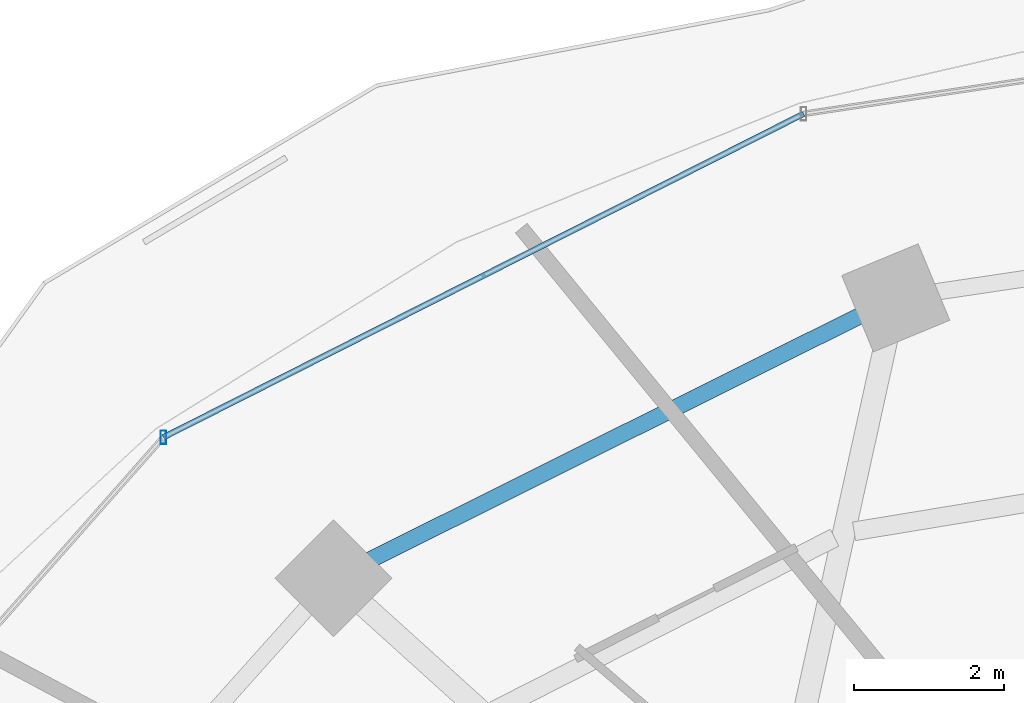
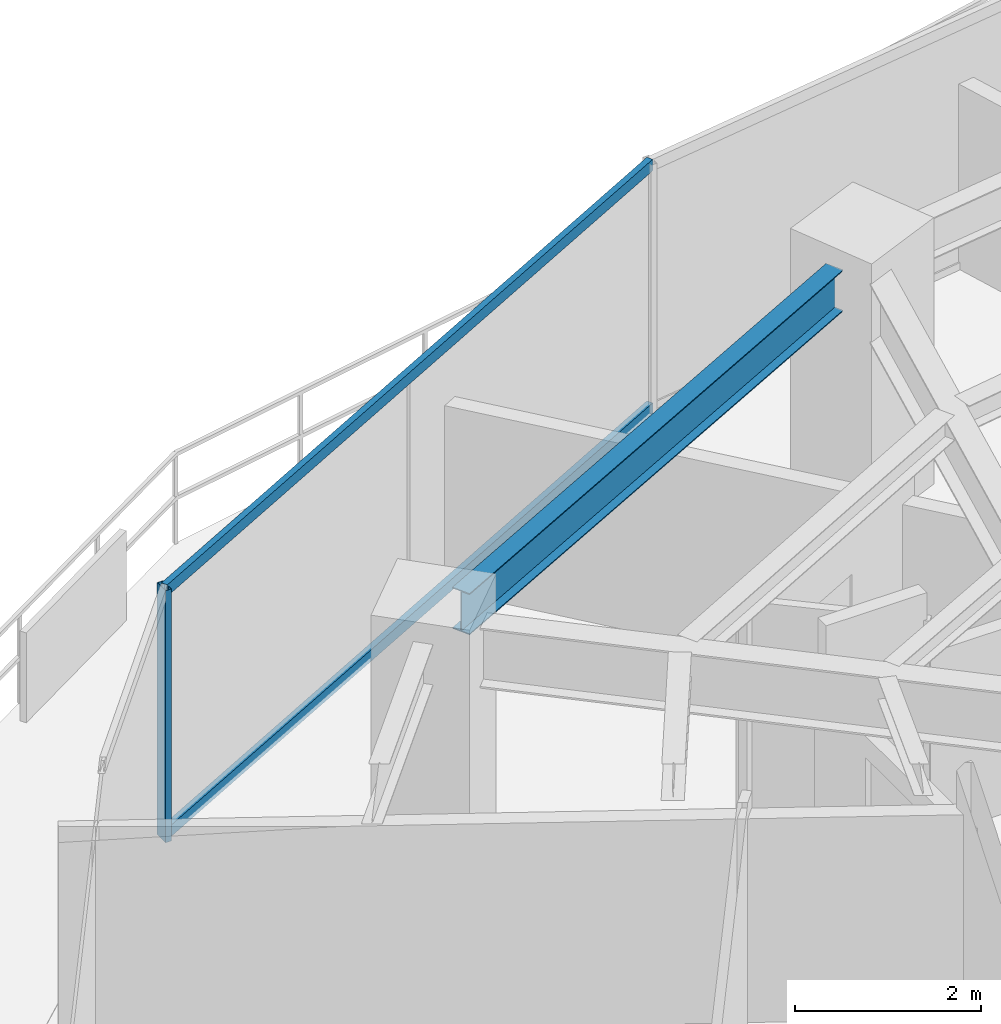
# One storey, part 16 of 29: 3 members, 1 beam, 1 element without a shape of its own.
"""IFC4 building model written with IfcOpenShell, lengths in metres."""

from ifc_helpers import new_model, si_unit, direction, frame, origin, origin_2d, place, context, subcontext, project, spatial, hollow_rectangle, i_section, extrude, material, material_profile, profile_set, type_object, element, aggregate, save


model = new_model("IFC4")

# Units and contexts
model_context = context("Model", 3, precision=1e-05, world=origin(), true_north=direction((0.0, 1.0)))
body_context = subcontext(model_context, "Body", "Model", "MODEL_VIEW")
ifc_project = project(units=[si_unit("LENGTHUNIT", "METRE"), si_unit("AREAUNIT", "SQUARE_METRE"), si_unit("VOLUMEUNIT", "CUBIC_METRE"), si_unit("PLANEANGLEUNIT", "RADIAN"), si_unit("MASSUNIT", "GRAM", prefix="KILO")], contexts=[model_context])

# Site, building, storey
site_placement = place(None, origin())
site = spatial("IfcSite", under=ifc_project, at=site_placement, CompositionType="ELEMENT")
building_placement = place(site_placement, origin())
building = spatial("IfcBuilding", under=site, at=building_placement, Name="Vorneva Point Tower", CompositionType="ELEMENT")
storey_placement = place(building_placement, frame((0.0, 0.0, 113.800048828125)))
storey = spatial("IfcBuildingStorey", under=building, at=storey_placement, Name="L30", CompositionType="ELEMENT", Elevation=113.800048828125)

# Beam
ifc_material_1 = material(Name="Steel S355", Category="steel")
ifc_material_profile_1 = material_profile(ifc_material_1, i_section(OverallWidth=0.219970703125, OverallDepth=0.54296875, WebThickness=0.009521484375, FlangeThickness=0.013427734375, at=origin_2d()), Name="55B1")
ifc_profile_set_1 = profile_set([ifc_material_profile_1], Name="Steel S355")
beam_type = type_object("IfcBeamType", Name="BM-SPN-55B1", PredefinedType="SPANDREL", material=ifc_profile_set_1)
beam_placement = place(storey_placement, frame((28.7001953125, 41.652099609375, 2.968505859375), z_axis=(-0.894915882304, -0.446234874926, 0.0), x_axis=(0.446234874926, -0.894915882304, 0.0)))
element("IfcBeam", 1, at=beam_placement, inside=storey, type_object=beam_type, Name="L30 Perimeter Spandrel Ring Beam 06", PredefinedType="SPANDREL", context=body_context, shape_type="SweptSolid", body=[
    extrude(i_section(OverallWidth=0.219970703125, OverallDepth=0.54296875, WebThickness=0.009521484375, FlangeThickness=0.013427734375, at=origin_2d()), origin(), (0.0, 0.0, 1.0), 7.285888671875),
])

# Curtain wall, members
ifc_material_2 = material(Name="Pale anodised aluminium", Category="aluminium")
curtain_wall_type = type_object("IfcCurtainWallType", Name="CW-HTL-SYS", PredefinedType="NOTDEFINED", material=ifc_material_2)
curtain_wall_placement = place(storey_placement, origin())
curtain_wall = element("IfcCurtainWall", 2, at=curtain_wall_placement, inside=storey, type_object=curtain_wall_type, Name="L30 Unitised Curtain Wall CW-L30-R02", PredefinedType="NOTDEFINED")
ifc_material_profile_2 = material_profile(ifc_material_2, hollow_rectangle(XDim=0.074951171875, YDim=0.179931640625, WallThickness=0.00390625, at=origin_2d()), Name="AL-MUL 180x75x4")
ifc_profile_set_2 = profile_set([ifc_material_profile_2], Name="Pale anodised aluminium")
member_type_1 = type_object("IfcMemberType", Name="CW-MUL-180", PredefinedType="MULLION", material=ifc_profile_set_2)
member_1_placement = place(storey_placement, frame((19.4384765625, 40.0361328125, -0.0400390625), z_axis=(0.0, 0.0, 1.0), x_axis=(1.0, 0.0, 0.0)))
member_1 = element("IfcMember", 3, at=member_1_placement, type_object=member_type_1, Name="CW-L30-R02 Mullion 05", PredefinedType="MULLION", context=body_context, shape_type="SweptSolid", body=[
    extrude(hollow_rectangle(XDim=0.074951171875, YDim=0.179931640625, WallThickness=0.00390625, at=origin_2d()), origin(), (0.0, 0.0, 1.0), 3.31005859375),
])
ifc_material_profile_3 = material_profile(ifc_material_2, hollow_rectangle(XDim=0.074951171875, YDim=0.14990234375, WallThickness=0.00390625, at=origin_2d()), Name="AL-TRN 150x75x4")
ifc_profile_set_3 = profile_set([ifc_material_profile_3], Name="Pale anodised aluminium")
member_type_2 = type_object("IfcMemberType", Name="CW-TRN-150", PredefinedType="USERDEFINED", material=ifc_profile_set_3)
member_2_placement = place(storey_placement, frame((27.95458984375, 44.339111328125, 0.02001953125), z_axis=(-0.892536035732, -0.450976080207, 0.0), x_axis=(0.450976080207, -0.892536035732, 0.0)))
member_2 = element("IfcMember", 4, at=member_2_placement, type_object=member_type_2, Name="CW-L30-R02 Transom 04.1", ObjectType="TRANSOM", PredefinedType="USERDEFINED", context=body_context, shape_type="SweptSolid", body=[
    extrude(hollow_rectangle(XDim=0.074951171875, YDim=0.14990234375, WallThickness=0.00390625, at=origin_2d()), origin(), (0.0, 0.0, 1.0), 9.54150390625),
])
member_3_placement = place(storey_placement, frame((27.95458984375, 44.339111328125, 3.219970703125), z_axis=(-0.892536035732, -0.450976080207, 0.0), x_axis=(0.450976080207, -0.892536035732, 0.0)))
member_3 = element("IfcMember", 5, at=member_3_placement, type_object=member_type_2, Name="CW-L30-R02 Transom 04.2", ObjectType="TRANSOM", PredefinedType="USERDEFINED", context=body_context, shape_type="SweptSolid", body=[
    extrude(hollow_rectangle(XDim=0.074951171875, YDim=0.14990234375, WallThickness=0.00390625, at=origin_2d()), origin(), (0.0, 0.0, 1.0), 9.54150390625),
])
aggregate(curtain_wall, [member_1, member_2, member_3])

save(model, "model.ifc")
